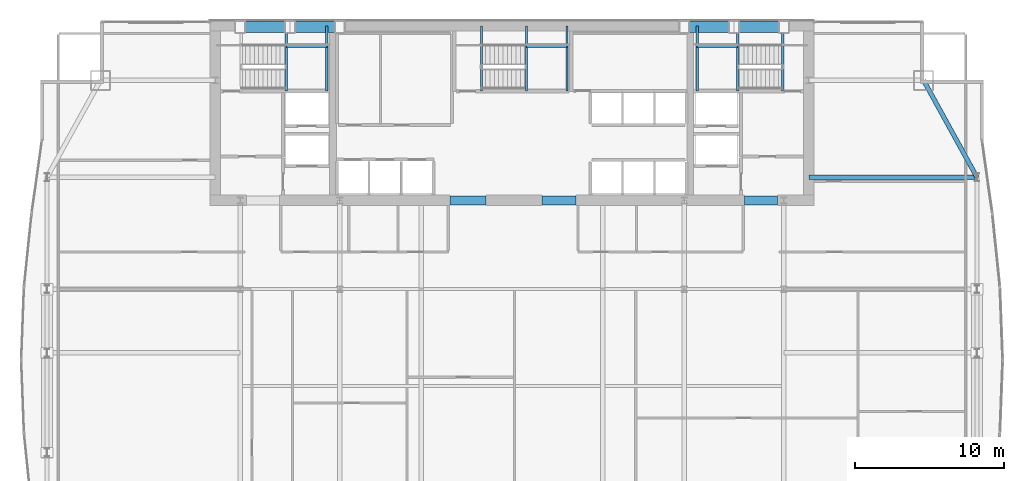
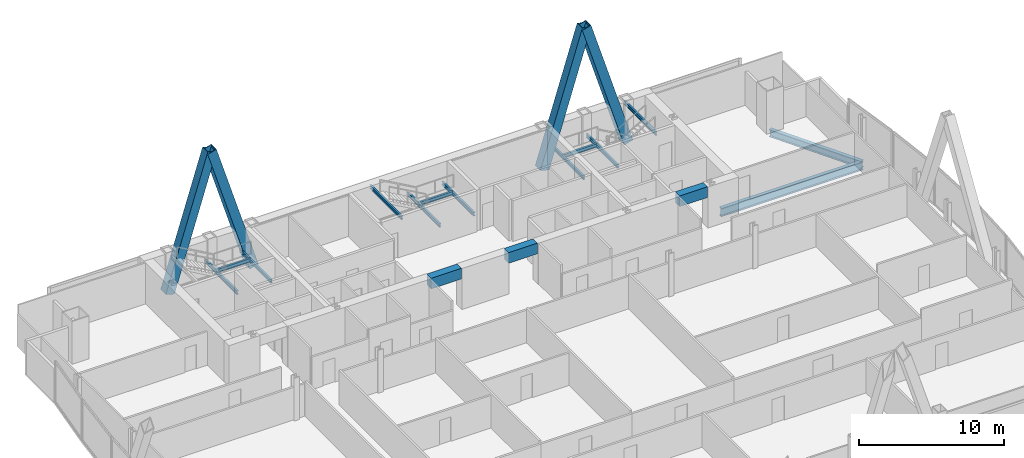
# One storey, part 19 of 30: 16 beams, 4 members.
"""IFC4 building model written with IfcOpenShell, lengths in metres."""

from ifc_helpers import new_model, si_unit, direction, frame, origin, origin_2d, place, context, subcontext, project, spatial, rectangle, hollow_rectangle, i_section, extrude, material, material_profile, profile_set, type_object, element, save


model = new_model("IFC4")

# Units and contexts
model_context = context("Model", 3, precision=1e-05, world=origin(), true_north=direction((0.0, 1.0)))
body_context = subcontext(model_context, "Body", "Model", "MODEL_VIEW")
ifc_project = project(units=[si_unit("LENGTHUNIT", "METRE"), si_unit("AREAUNIT", "SQUARE_METRE"), si_unit("VOLUMEUNIT", "CUBIC_METRE"), si_unit("PLANEANGLEUNIT", "RADIAN"), si_unit("MASSUNIT", "GRAM", prefix="KILO")], contexts=[model_context])

# Site, building, storey
site_placement = place(None, origin())
site = spatial("IfcSite", under=ifc_project, at=site_placement, CompositionType="ELEMENT")
building_placement = place(site_placement, origin())
building = spatial("IfcBuilding", under=site, at=building_placement, Name="Khoronbel Lancet Exchange", CompositionType="ELEMENT")
storey_placement = place(building_placement, frame((0.0, 0.0, 147.0)))
storey = spatial("IfcBuildingStorey", under=building, at=storey_placement, Name="L36", CompositionType="ELEMENT", Elevation=147.0)

# Beams
ifc_material_1 = material(Name="Steel S355", Category="steel")
ifc_material_profile_1 = material_profile(ifc_material_1, i_section(OverallWidth=0.300048828125, OverallDepth=0.699951171875, WebThickness=0.01708984375, FlangeThickness=0.031982421875, at=origin_2d()), Name="HEB 700")
ifc_profile_set_1 = profile_set([ifc_material_profile_1], Name="Steel S355")
beam_type_1 = type_object("IfcBeamType", Name="BM-BG3", PredefinedType="BEAM", material=ifc_profile_set_1)
beam_1_placement = place(storey_placement, frame((56.35009765625, 43.199951171875, -0.510009765625), z_axis=(1.0, 0.0, 0.0), x_axis=(0.0, 1.0, 0.0)))
element("IfcBeam", 1, at=beam_1_placement, inside=storey, type_object=beam_type_1, Name="Level L36 east lens tie girder LG3E", PredefinedType="BEAM", context=body_context, shape_type="SweptSolid", body=[
    extrude(i_section(OverallWidth=0.300048828125, OverallDepth=0.699951171875, WebThickness=0.01708984375, FlangeThickness=0.031982421875, at=origin_2d()), origin(), (0.0, 0.0, 1.0), 11.27978515625),
])
ifc_material_profile_2 = material_profile(ifc_material_1, i_section(OverallWidth=0.14990234375, OverallDepth=0.300048828125, WebThickness=0.007080078125, FlangeThickness=0.0107421875, at=origin_2d()), Name="IPE 300")
ifc_profile_set_2 = profile_set([ifc_material_profile_2], Name="Steel S355")
beam_type_2 = type_object("IfcBeamType", Name="BM-BJ8", PredefinedType="JOIST", material=ifc_profile_set_2)
for number, where, z_axis, x_axis, name in (
    (2, (21.320068359375, 48.97998046875, 1.449951171875), (0.0, 1.0, 0.0), (-1.0, 0.0, 0.0), "Level L36 stair ST1 landing bearer beam 1"),
    (3, (24.030029296875, 48.97998046875, 1.449951171875), (0.0, 1.0, 0.0), (-1.0, 0.0, 0.0), "Level L36 stair ST1 rear landing bearer beam 1"),
):
    element("IfcBeam", number, at=place(storey_placement, frame(where, z_axis=z_axis, x_axis=x_axis)), inside=storey, type_object=beam_type_2, Name=name, PredefinedType="JOIST", context=body_context, shape_type="SweptSolid", body=[
        extrude(i_section(OverallWidth=0.14990234375, OverallDepth=0.300048828125, WebThickness=0.007080078125, FlangeThickness=0.0107421875, at=origin_2d()), origin(), (0.0, 0.0, 1.0), 4.3701171875),
    ])
beam_2_placement = place(storey_placement, frame((21.320068359375, 51.97998046875, 1.449951171875), z_axis=(1.0, 0.0, 0.0), x_axis=(0.0, 1.0, 0.0)))
element("IfcBeam", 4, at=beam_2_placement, inside=storey, type_object=beam_type_2, Name="Level L36 stair ST1 landing cross trimmer beam 1", PredefinedType="JOIST", context=body_context, shape_type="SweptSolid", body=[
    extrude(i_section(OverallWidth=0.14990234375, OverallDepth=0.300048828125, WebThickness=0.007080078125, FlangeThickness=0.0107421875, at=origin_2d()), origin(), (0.0, 0.0, 1.0), 2.7099609375),
])
for number, where, z_axis, x_axis, name in (
    (5, (51.580078125, 48.97998046875, 1.449951171875), (0.0, 1.0, 0.0), (-1.0, 0.0, 0.0), "Level L36 stair ST2 landing bearer beam 1"),
    (6, (48.8701171875, 48.97998046875, 1.449951171875), (0.0, 1.0, 0.0), (-1.0, 0.0, 0.0), "Level L36 stair ST2 rear landing bearer beam 1"),
):
    element("IfcBeam", number, at=place(storey_placement, frame(where, z_axis=z_axis, x_axis=x_axis)), inside=storey, type_object=beam_type_2, Name=name, PredefinedType="JOIST", context=body_context, shape_type="SweptSolid", body=[
        extrude(i_section(OverallWidth=0.14990234375, OverallDepth=0.300048828125, WebThickness=0.007080078125, FlangeThickness=0.0107421875, at=origin_2d()), origin(), (0.0, 0.0, 1.0), 4.3701171875),
    ])
beam_3_placement = place(storey_placement, frame((48.8701171875, 51.97998046875, 1.449951171875), z_axis=(1.0, 0.0, 0.0), x_axis=(0.0, 1.0, 0.0)))
element("IfcBeam", 7, at=beam_3_placement, inside=storey, type_object=beam_type_2, Name="Level L36 stair ST2 landing cross trimmer beam 1", PredefinedType="JOIST", context=body_context, shape_type="SweptSolid", body=[
    extrude(i_section(OverallWidth=0.14990234375, OverallDepth=0.300048828125, WebThickness=0.007080078125, FlangeThickness=0.0107421875, at=origin_2d()), origin(), (0.0, 0.0, 1.0), 2.7099609375),
])
for number, where, z_axis, x_axis, name in (
    (8, (54.60009765625, 48.97998046875, 3.159912109375), (0.0, 1.0, 0.0), (-1.0, 0.0, 0.0), "Level L36 stair ST2 upper-flight arrival trimmer beam"),
    (9, (37.419921875, 48.97998046875, 1.449951171875), (0.0, 1.0, 0.0), (-1.0, 0.0, 0.0), "Level L36 stair ST3 landing bearer beam 1"),
    (10, (40.1298828125, 48.97998046875, 1.449951171875), (0.0, 1.0, 0.0), (-1.0, 0.0, 0.0), "Level L36 stair ST3 rear landing bearer beam 1"),
):
    element("IfcBeam", number, at=place(storey_placement, frame(where, z_axis=z_axis, x_axis=x_axis)), inside=storey, type_object=beam_type_2, Name=name, PredefinedType="JOIST", context=body_context, shape_type="SweptSolid", body=[
        extrude(i_section(OverallWidth=0.14990234375, OverallDepth=0.300048828125, WebThickness=0.007080078125, FlangeThickness=0.0107421875, at=origin_2d()), origin(), (0.0, 0.0, 1.0), 4.3701171875),
    ])
beam_4_placement = place(storey_placement, frame((37.419921875, 51.97998046875, 1.449951171875), z_axis=(1.0, 0.0, 0.0), x_axis=(0.0, 1.0, 0.0)))
element("IfcBeam", 11, at=beam_4_placement, inside=storey, type_object=beam_type_2, Name="Level L36 stair ST3 landing cross trimmer beam 1", PredefinedType="JOIST", context=body_context, shape_type="SweptSolid", body=[
    extrude(i_section(OverallWidth=0.14990234375, OverallDepth=0.300048828125, WebThickness=0.007080078125, FlangeThickness=0.0107421875, at=origin_2d()), origin(), (0.0, 0.0, 1.0), 2.7099609375),
])
beam_5_placement = place(storey_placement, frame((34.39990234375, 48.97998046875, 3.159912109375), z_axis=(0.0, 1.0, 0.0), x_axis=(-1.0, 0.0, 0.0)))
element("IfcBeam", 12, at=beam_5_placement, inside=storey, type_object=beam_type_2, Name="Level L36 stair ST3 upper-flight arrival trimmer beam", PredefinedType="JOIST", context=body_context, shape_type="SweptSolid", body=[
    extrude(i_section(OverallWidth=0.14990234375, OverallDepth=0.300048828125, WebThickness=0.007080078125, FlangeThickness=0.0107421875, at=origin_2d()), origin(), (0.0, 0.0, 1.0), 4.3701171875),
])
ifc_material_2 = material(Name="Concrete C80/95", Category="concrete")
ifc_material_profile_3 = material_profile(ifc_material_2, rectangle(XDim=0.60009765625, YDim=0.89990234375, at=origin_2d()), Name="RC 600x900")
ifc_profile_set_3 = profile_set([ifc_material_profile_3], Name="Concrete C80/95")
beam_type_3 = type_object("IfcBeamType", Name="BM-BL1", PredefinedType="LINTEL", material=ifc_profile_set_3)
beam_6_placement = place(storey_placement, frame((32.300048828125, 41.64990234375, 2.989990234375), z_axis=(1.0, 0.0, 0.0), x_axis=(0.0, 1.0, 0.0)))
element("IfcBeam", 13, at=beam_6_placement, inside=storey, type_object=beam_type_3, Name="Level L36 rear core coupling lintel L2", PredefinedType="LINTEL", context=body_context, shape_type="SweptSolid", body=[
    extrude(rectangle(XDim=0.60009765625, YDim=0.89990234375, at=origin_2d()), origin(), (0.0, 0.0, 1.0), 2.39990234375),
])
beam_7_placement = place(storey_placement, frame((38.449951171875, 41.64990234375, 2.989990234375), z_axis=(1.0, 0.0, 0.0), x_axis=(0.0, 1.0, 0.0)))
element("IfcBeam", 14, at=beam_7_placement, inside=storey, type_object=beam_type_3, Name="Level L36 rear core coupling lintel L3", PredefinedType="LINTEL", context=body_context, shape_type="SweptSolid", body=[
    extrude(rectangle(XDim=0.60009765625, YDim=0.89990234375, at=origin_2d()), origin(), (0.0, 0.0, 1.0), 2.300048828125),
])
beam_8_placement = place(storey_placement, frame((52.050048828125, 41.64990234375, 2.989990234375), z_axis=(1.0, 0.0, 0.0), x_axis=(0.0, 1.0, 0.0)))
element("IfcBeam", 15, at=beam_8_placement, inside=storey, type_object=beam_type_3, Name="Level L36 rear core coupling lintel L4", PredefinedType="LINTEL", context=body_context, shape_type="SweptSolid", body=[
    extrude(rectangle(XDim=0.60009765625, YDim=0.89990234375, at=origin_2d()), origin(), (0.0, 0.0, 1.0), 2.199951171875),
])
ifc_material_profile_4 = material_profile(ifc_material_1, i_section(OverallWidth=0.300048828125, OverallDepth=0.60009765625, WebThickness=0.015380859375, FlangeThickness=0.030029296875, at=origin_2d()), Name="HEB 600")
ifc_profile_set_4 = profile_set([ifc_material_profile_4], Name="Steel S355")
beam_type_4 = type_object("IfcBeamType", Name="BM-BSP2", PredefinedType="SPANDREL", material=ifc_profile_set_4)
beam_9_placement = place(storey_placement, frame((67.6298828125, 43.199951171875, -0.4599609375), z_axis=(-0.482418808117, 0.875940690672, 0.0), x_axis=(-0.875940690672, -0.482418808117, 0.0)))
element("IfcBeam", 16, at=beam_9_placement, inside=storey, type_object=beam_type_4, Name="Level L36 perimeter spandrel beam SP15", PredefinedType="SPANDREL", context=body_context, shape_type="SweptSolid", body=[
    extrude(i_section(OverallWidth=0.300048828125, OverallDepth=0.60009765625, WebThickness=0.015380859375, FlangeThickness=0.030029296875, at=origin_2d()), origin(), (0.0, 0.0, 1.0), 7.420654296875),
])

# Members
ifc_material_3 = material(Name="Steel S460", Category="steel")
ifc_material_profile_5 = material_profile(ifc_material_3, hollow_rectangle(XDim=0.719970703125, YDim=0.719970703125, WallThickness=0.050048828125, at=origin_2d()), Name="BOX 720x720x50")
ifc_profile_set_5 = profile_set([ifc_material_profile_5], Name="Steel S460")
member_type = type_object("IfcMemberType", Name="MEM-MB2", PredefinedType="BRACE", material=ifc_profile_set_5)
for number, where, z_axis, x_axis, name in (
    (17, (18.22509765625, 53.280029296875, 0.0), (0.295242108906, 0.0, 0.955422470496), (0.0, 1.0, 0.0), "Perimeter lancet brace tier 12 N-W-L"),
    (18, (24.89990234375, 53.280029296875, 0.0), (-0.295242108906, 0.0, 0.955422470496), (0.0, -1.0, 0.0), "Perimeter lancet brace tier 12 N-W-R"),
    (19, (48.0, 53.280029296875, 0.0), (0.295242108906, 0.0, 0.955422470496), (0.0, 1.0, 0.0), "Perimeter lancet brace tier 12 N-E-L"),
    (20, (54.675048828125, 53.280029296875, 0.0), (-0.295261823895, 0.0, 0.955416378), (0.0, -1.0, 0.0), "Perimeter lancet brace tier 12 N-E-R"),
):
    element("IfcMember", number, at=place(storey_placement, frame(where, z_axis=z_axis, x_axis=x_axis)), inside=storey, type_object=member_type, Name=name, PredefinedType="BRACE", context=body_context, shape_type="SweptSolid", body=[
        extrude(hollow_rectangle(XDim=0.719970703125, YDim=0.719970703125, WallThickness=0.050048828125, at=origin_2d()), origin(), (0.0, 0.0, 1.0), 11.303955078125),
    ])

save(model, "model.ifc")
